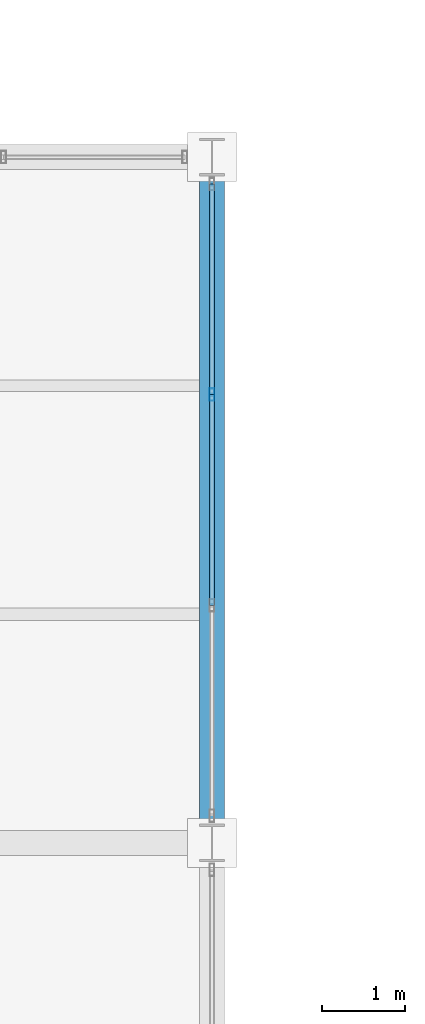
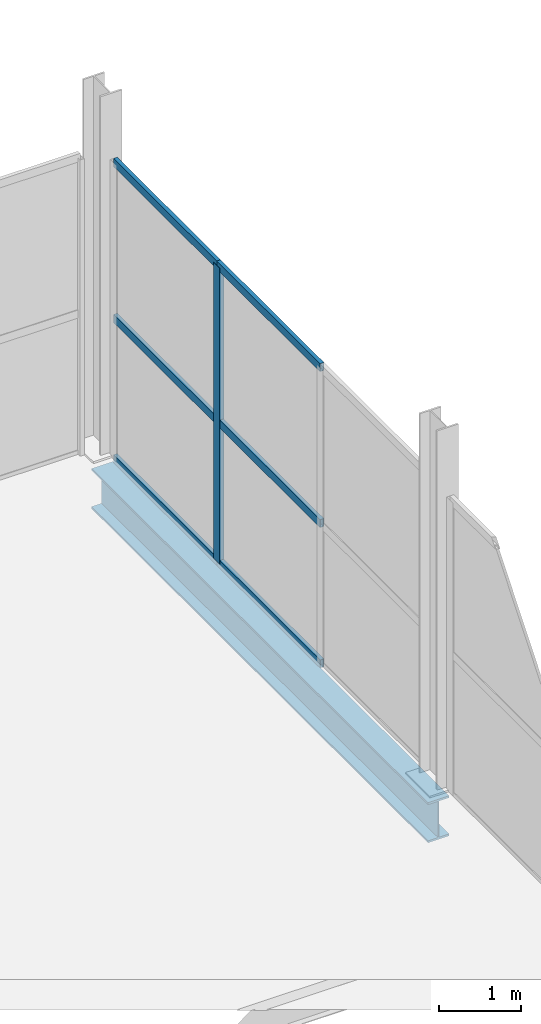
# One storey, part 85 of 147: 7 members, 1 beam, 1 element without a shape of its own.
"""IFC4 building model written with IfcOpenShell, lengths in metres."""

import ifcopenshell
import ifcopenshell.guid

model = None  # the IFC model being written
_history = None  # IfcOwnerHistory: only IFC2X3 demands one
_inside = {}  # id of a spatial element -> (the spatial element, [elements in it])
_under = {}  # id of a project, library or spatial element -> (it, [spatial elements below it])
_declared = {}  # id of a project -> (the project, [libraries it declares])
_typed = {}  # id of a type object -> (the type object, [elements of that type])
_made_of = {}  # id of a material, layer set ... -> (it, [elements and type objects made of it])


def new_model(schema):
    """Start an empty IFC model of exactly this schema.

    Asked for "IFC4X3", IfcOpenShell would pick the latest addendum, in which some entities
    have other attributes; the version numbers below select the first issue.
    IFC2X3 requires an IfcOwnerHistory on every rooted entity: one is made here for all.
    """
    global model, _history
    if schema == "IFC4X3":
        model = ifcopenshell.file(schema_version=(4, 3, 0, 0))
    else:
        model = ifcopenshell.file(schema=schema)
    _inside.clear()
    _under.clear()
    _declared.clear()
    _typed.clear()
    _made_of.clear()
    _history = None
    if model.schema == "IFC2X3":
        org = make("IfcOrganization", Name="unknown")
        user = make(
            "IfcPersonAndOrganization",
            ThePerson=make("IfcPerson", FamilyName="unknown"),
            TheOrganization=org,
        )
        app = make(
            "IfcApplication",
            ApplicationDeveloper=org,
            Version="unknown",
            ApplicationFullName="unknown",
            ApplicationIdentifier="unknown",
        )
        _history = make(
            "IfcOwnerHistory",
            OwningUser=user,
            OwningApplication=app,
            ChangeAction="ADDED",
            CreationDate=0,
        )
    return model


def make(cls, **values):
    """One entity of the class cls with the attributes given. An attribute that is None is left unset."""
    return model.create_entity(
        cls, **{name: value for name, value in values.items() if value is not None}
    )


def rooted(cls, **values):
    """An entity with a GlobalId (a new one), such as an element, a storey or a relation."""
    return make(cls, GlobalId=ifcopenshell.guid.new(), OwnerHistory=_history, **values)


def si_unit(unit_type, name, prefix=None):
    """IfcSIUnit, for example si_unit("LENGTHUNIT", "METRE", prefix="MILLI")."""
    return make("IfcSIUnit", UnitType=unit_type, Prefix=prefix, Name=name)


def assignment(units):
    """IfcUnitAssignment: the units of a project."""
    return None if units is None else make("IfcUnitAssignment", Units=units)


def point(xyz):
    """IfcCartesianPoint."""
    return None if xyz is None else make("IfcCartesianPoint", Coordinates=xyz)


def direction(xyz):
    """IfcDirection."""
    return None if xyz is None else make("IfcDirection", DirectionRatios=xyz)


def frame(location, z_axis=None, x_axis=None):
    """IfcAxis2Placement3D, a coordinate frame: its origin and axes. An axis left out is left unset."""
    return make(
        "IfcAxis2Placement3D",
        Location=point(location),
        Axis=direction(z_axis),
        RefDirection=direction(x_axis),
    )


def frame_2d(location, x_axis=None):
    """IfcAxis2Placement2D, a coordinate frame in the plane: its origin and x axis."""
    return make(
        "IfcAxis2Placement2D", Location=point(location), RefDirection=direction(x_axis)
    )


def origin():
    """The frame at (0, 0, 0) with its axes left unset."""
    return frame((0.0, 0.0, 0.0))


def origin_2d():
    """The frame at (0, 0) in the plane with its x axis left unset."""
    return frame_2d((0.0, 0.0))


def place(relative_to, where):
    """IfcLocalPlacement: puts the frame where relative to a parent placement (None: the world)."""
    return make(
        "IfcLocalPlacement", PlacementRelTo=relative_to, RelativePlacement=where
    )


def context(
    kind, dimensions, precision=None, world=None, true_north=None, identifier=None
):
    """IfcGeometricRepresentationContext, for example the 3D "Model" context."""
    return make(
        "IfcGeometricRepresentationContext",
        ContextIdentifier=identifier,
        ContextType=kind,
        CoordinateSpaceDimension=dimensions,
        Precision=precision,
        WorldCoordinateSystem=world,
        TrueNorth=true_north,
    )


def subcontext(parent, identifier, kind, view, scale=None):
    """IfcGeometricRepresentationSubContext, for example "Body" below "Model"."""
    return make(
        "IfcGeometricRepresentationSubContext",
        ContextIdentifier=identifier,
        ContextType=kind,
        ParentContext=parent,
        TargetScale=scale,
        TargetView=view,
    )


def project(units=None, contexts=None):
    """IfcProject with its units and contexts."""
    return rooted(
        "IfcProject",
        Name="project",
        RepresentationContexts=contexts,
        UnitsInContext=assignment(units),
    )


def spatial(cls, under=None, at=None, **own):
    """A site, building, storey or space (cls), placed at a placement, below another one or the project."""
    s = rooted(cls, ObjectPlacement=at, **own)
    if under is not None:
        _under.setdefault(under.id(), (under, []))[1].append(s)
    return s


def profile(cls, at=None, kind="AREA", **sizes):
    """A parametric profile (cls). Its sizes go by their IFC names, for example OverallWidth=200.0."""
    return make(cls, ProfileType=kind, Position=at, **sizes)


def hollow_rectangle(**sizes):
    """IfcRectangleHollowProfileDef."""
    return profile("IfcRectangleHollowProfileDef", **sizes)


def i_section(**sizes):
    """IfcIShapeProfileDef."""
    return profile("IfcIShapeProfileDef", **sizes)


def extrude(swept, where, along, depth):
    """IfcExtrudedAreaSolid: the profile swept, set in the frame where, extruded along a direction by depth."""
    return make(
        "IfcExtrudedAreaSolid",
        SweptArea=swept,
        Position=where,
        ExtrudedDirection=direction(along),
        Depth=depth,
    )


def shape(context_of_items, identifier, shape_type, items):
    """IfcShapeRepresentation: the items that make up one representation, for example the "Body"."""
    return make(
        "IfcShapeRepresentation",
        ContextOfItems=context_of_items,
        RepresentationIdentifier=identifier,
        RepresentationType=shape_type,
        Items=items,
    )


def material(Name=None, Category=None):
    """IfcMaterial."""
    return make("IfcMaterial", Name=Name, Category=Category)


def layer(
    of_material, thickness, ventilated=None, Name=None, Category=None, Priority=None
):
    """IfcMaterialLayer: one layer of a wall or slab, of a material (None: an air gap)."""
    return make(
        "IfcMaterialLayer",
        Material=of_material,
        LayerThickness=thickness,
        IsVentilated=ventilated,
        Name=Name,
        Category=Category,
        Priority=Priority,
    )


def layer_set(layers, Name=None):
    """IfcMaterialLayerSet."""
    return make("IfcMaterialLayerSet", MaterialLayers=layers, LayerSetName=Name)


def material_profile(
    of_material, cross_section, Name=None, Category=None, Priority=None
):
    """IfcMaterialProfile: a cross section and its material."""
    return make(
        "IfcMaterialProfile",
        Name=Name,
        Material=of_material,
        Profile=cross_section,
        Priority=Priority,
        Category=Category,
    )


def profile_set(profiles, Name=None, composite=None):
    """IfcMaterialProfileSet."""
    return make(
        "IfcMaterialProfileSet",
        Name=Name,
        MaterialProfiles=profiles,
        CompositeProfile=composite,
    )


def made_of(thing, what):
    """Note that an element or type object is made of a material, layer set ...; save() writes the relation."""
    if what is not None:
        _made_of.setdefault(what.id(), (what, []))[1].append(thing)
    return thing


def type_object(cls, material=None, **own):
    """A type object (cls), such as IfcWallType, which elements share."""
    return made_of(rooted(cls, **own), material)


def element(
    cls,
    number,
    at=None,
    inside=None,
    cuts=None,
    type_object=None,
    material=None,
    context=None,
    identifier="Body",
    shape_type=None,
    held_by="IfcProductDefinitionShape",
    body=None,
    shapes=None,
    **own,
):
    """One element of the class cls, such as IfcWall. Its Tag is "e" and its number.

    at: its placement. inside: the storey or other place that contains it. cuts: it is an
    opening in that element (IfcRelVoidsElement). A single representation is given by context,
    identifier, shape_type and body (its items); several are given by shapes. held_by: the class
    of the entity that holds the representations. save() writes the other relations.
    """
    e = rooted(cls, Tag="e%d" % number, ObjectPlacement=at, **own)
    if body is not None:
        shapes = [shape(context, identifier, shape_type, body)]
    if shapes is not None:
        e.Representation = make(held_by, Representations=shapes)
    if inside is not None:
        _inside.setdefault(inside.id(), (inside, []))[1].append(e)
    if cuts is not None:
        rooted(
            "IfcRelVoidsElement", RelatingBuildingElement=cuts, RelatedOpeningElement=e
        )
    if type_object is not None:
        _typed.setdefault(type_object.id(), (type_object, []))[1].append(e)
    return made_of(e, material)


def aggregate(whole, parts):
    """IfcRelAggregates: a whole, such as a stair, and the parts it consists of."""
    return rooted("IfcRelAggregates", RelatingObject=whole, RelatedObjects=parts)


def save(model, path):
    """Write the relations noted so far, then the file.

    IfcRelAggregates (storeys below a building ...), IfcRelContainedInSpatialStructure (elements
    in a storey), IfcRelDefinesByType, IfcRelAssociatesMaterial and IfcRelDeclares: one each for
    every whole, place, type object, material and project.
    """
    for whole, parts in _under.values():
        aggregate(whole, parts)
    for where, things in _inside.values():
        rooted(
            "IfcRelContainedInSpatialStructure",
            RelatedElements=things,
            RelatingStructure=where,
        )
    for kind, things in _typed.values():
        rooted("IfcRelDefinesByType", RelatedObjects=things, RelatingType=kind)
    for what, things in _made_of.values():
        rooted("IfcRelAssociatesMaterial", RelatedObjects=things, RelatingMaterial=what)
    for by, libraries in _declared.values():
        rooted("IfcRelDeclares", RelatingContext=by, RelatedDefinitions=libraries)
    model.write(path)


model = new_model("IFC4")

# Units and contexts
model_context = context("Model", 3, precision=1e-05, world=origin(), true_north=direction((0.0, 1.0)))
body_context = subcontext(model_context, "Body", "Model", "MODEL_VIEW")
ifc_project = project(units=[si_unit("LENGTHUNIT", "METRE"), si_unit("AREAUNIT", "SQUARE_METRE"), si_unit("VOLUMEUNIT", "CUBIC_METRE"), si_unit("PLANEANGLEUNIT", "RADIAN"), si_unit("MASSUNIT", "GRAM", prefix="KILO")], contexts=[model_context])

# Site, building, storey
site_placement = place(None, origin())
site = spatial("IfcSite", under=ifc_project, at=site_placement, CompositionType="ELEMENT")
building_placement = place(site_placement, origin())
building = spatial("IfcBuilding", under=site, at=building_placement, Name="Sundgate Opera House", CompositionType="ELEMENT")
storey_placement = place(building_placement, frame((0.0, 0.0, 6.0)))
storey = spatial("IfcBuildingStorey", under=building, at=storey_placement, Name="L01", CompositionType="ELEMENT", Elevation=6.0)

# Beam
ifc_material_1 = material(Name="Steel S355J2", Category="steel")
ifc_material_profile_1 = material_profile(ifc_material_1, i_section(OverallWidth=0.300048828125, OverallDepth=0.60009765625, WebThickness=0.015380859375, FlangeThickness=0.030029296875, at=origin_2d()), Name="HEB 600")
ifc_profile_set_1 = profile_set([ifc_material_profile_1], Name="Steel S355J2")
beam_type = type_object("IfcBeamType", Name="BM-GR-HEB600", PredefinedType="BEAM", material=ifc_profile_set_1)
beam_placement = place(storey_placement, frame((160.199951171875, 24.75, -0.60009765625), z_axis=(0.0, 1.0, 0.0), x_axis=(-1.0, 0.0, 0.0)))
element("IfcBeam", 1, at=beam_placement, inside=storey, type_object=beam_type, Name="L01 Primary N-S Girder B1250", PredefinedType="BEAM", context=body_context, shape_type="SweptSolid", body=[
    extrude(i_section(OverallWidth=0.300048828125, OverallDepth=0.60009765625, WebThickness=0.015380859375, FlangeThickness=0.030029296875, at=origin_2d()), origin(), (0.0, 0.0, 1.0), 8.25),
])

# Curtain wall, members
ifc_material_2 = material(Name="Anodized aluminium and low-iron glass", Category="aluminium")
ifc_layer = layer(ifc_material_2, 0.14990234375)
ifc_layer_set = layer_set([ifc_layer], Name="Anodized aluminium and low-iron glass")
curtain_wall_type = type_object("IfcCurtainWallType", Name="CW-WORKSHOP-DARK", PredefinedType="NOTDEFINED", material=ifc_layer_set)
curtain_wall_placement = place(storey_placement, origin())
curtain_wall = element("IfcCurtainWall", 2, at=curtain_wall_placement, inside=storey, type_object=curtain_wall_type, Name="L01 Curtain Wall CW151", PredefinedType="NOTDEFINED")
ifc_material_3 = material(Name="Anodized aluminium EN AW-6063", Category="aluminium")
ifc_material_profile_2 = material_profile(ifc_material_3, hollow_rectangle(XDim=0.06005859375, YDim=0.14990234375, WallThickness=0.00390625, at=origin_2d()), Name="CWM 150x60x4")
ifc_profile_set_2 = profile_set([ifc_material_profile_2], Name="Anodized aluminium EN AW-6063")
member_type_1 = type_object("IfcMemberType", Name="CWM-ALU-150x60", PredefinedType="MULLION", material=ifc_profile_set_2)
member_1_placement = place(storey_placement, frame((160.199951171875, 30.1416015625, 0.0), z_axis=(0.0, 0.0, 1.0), x_axis=(1.0, 0.0, 0.0)))
member_1 = element("IfcMember", 3, at=member_1_placement, type_object=member_type_1, Name="CW151 Mullion 3", PredefinedType="MULLION", context=body_context, shape_type="SweptSolid", body=[
    extrude(hollow_rectangle(XDim=0.06005859375, YDim=0.14990234375, WallThickness=0.00390625, at=origin_2d()), origin(), (0.0, 0.0, 1.0), 4.43505859375),
])
ifc_material_4 = material(Name="Anodized aluminium EN AW-6063", Category="aluminium")
ifc_material_profile_3 = material_profile(ifc_material_4, hollow_rectangle(XDim=0.054931640625, YDim=0.1201171875, WallThickness=0.00390625, at=origin_2d()), Name="CWT 120x55x4")
ifc_profile_set_3 = profile_set([ifc_material_profile_3], Name="Anodized aluminium EN AW-6063")
member_type_2 = type_object("IfcMemberType", Name="CWT-ALU-120x55", PredefinedType="USERDEFINED", material=ifc_profile_set_3)
member_2_placement = place(storey_placement, frame((160.199951171875, 27.6083984375, 0.0), z_axis=(0.0, 1.0, 0.0), x_axis=(-1.0, 0.0, 0.0)))
member_2 = element("IfcMember", 4, at=member_2_placement, type_object=member_type_2, Name="CW151 Transom 4", ObjectType="TRANSOM", PredefinedType="USERDEFINED", context=body_context, shape_type="SweptSolid", body=[
    extrude(hollow_rectangle(XDim=0.054931640625, YDim=0.1201171875, WallThickness=0.00390625, at=origin_2d()), origin(), (0.0, 0.0, 1.0), 2.533203125),
])
member_3_placement = place(storey_placement, frame((160.199951171875, 27.6083984375, 2.10009765625), z_axis=(0.0, 1.0, 0.0), x_axis=(-1.0, 0.0, 0.0)))
member_3 = element("IfcMember", 5, at=member_3_placement, type_object=member_type_2, Name="CW151 Transom 5", ObjectType="TRANSOM", PredefinedType="USERDEFINED", context=body_context, shape_type="SweptSolid", body=[
    extrude(hollow_rectangle(XDim=0.054931640625, YDim=0.1201171875, WallThickness=0.00390625, at=origin_2d()), origin(), (0.0, 0.0, 1.0), 2.533203125),
])
member_4_placement = place(storey_placement, frame((160.199951171875, 27.6083984375, 4.43505859375), z_axis=(0.0, 1.0, 0.0), x_axis=(-1.0, 0.0, 0.0)))
member_4 = element("IfcMember", 6, at=member_4_placement, type_object=member_type_2, Name="CW151 Transom 6", ObjectType="TRANSOM", PredefinedType="USERDEFINED", context=body_context, shape_type="SweptSolid", body=[
    extrude(hollow_rectangle(XDim=0.054931640625, YDim=0.1201171875, WallThickness=0.00390625, at=origin_2d()), origin(), (0.0, 0.0, 1.0), 2.533203125),
])
member_5_placement = place(storey_placement, frame((160.199951171875, 30.1416015625, 0.0), z_axis=(0.0, 1.0, 0.0), x_axis=(-1.0, 0.0, 0.0)))
member_5 = element("IfcMember", 7, at=member_5_placement, type_object=member_type_2, Name="CW151 Transom 7", ObjectType="TRANSOM", PredefinedType="USERDEFINED", context=body_context, shape_type="SweptSolid", body=[
    extrude(hollow_rectangle(XDim=0.054931640625, YDim=0.1201171875, WallThickness=0.00390625, at=origin_2d()), origin(), (0.0, 0.0, 1.0), 2.533447265625),
])
member_6_placement = place(storey_placement, frame((160.199951171875, 30.1416015625, 2.10009765625), z_axis=(0.0, 1.0, 0.0), x_axis=(-1.0, 0.0, 0.0)))
member_6 = element("IfcMember", 8, at=member_6_placement, type_object=member_type_2, Name="CW151 Transom 8", ObjectType="TRANSOM", PredefinedType="USERDEFINED", context=body_context, shape_type="SweptSolid", body=[
    extrude(hollow_rectangle(XDim=0.054931640625, YDim=0.1201171875, WallThickness=0.00390625, at=origin_2d()), origin(), (0.0, 0.0, 1.0), 2.533447265625),
])
member_7_placement = place(storey_placement, frame((160.199951171875, 30.1416015625, 4.43505859375), z_axis=(0.0, 1.0, 0.0), x_axis=(-1.0, 0.0, 0.0)))
member_7 = element("IfcMember", 9, at=member_7_placement, type_object=member_type_2, Name="CW151 Transom 9", ObjectType="TRANSOM", PredefinedType="USERDEFINED", context=body_context, shape_type="SweptSolid", body=[
    extrude(hollow_rectangle(XDim=0.054931640625, YDim=0.1201171875, WallThickness=0.00390625, at=origin_2d()), origin(), (0.0, 0.0, 1.0), 2.533447265625),
])
aggregate(curtain_wall, [member_1, member_2, member_3, member_4, member_5, member_6, member_7])

save(model, "model.ifc")
